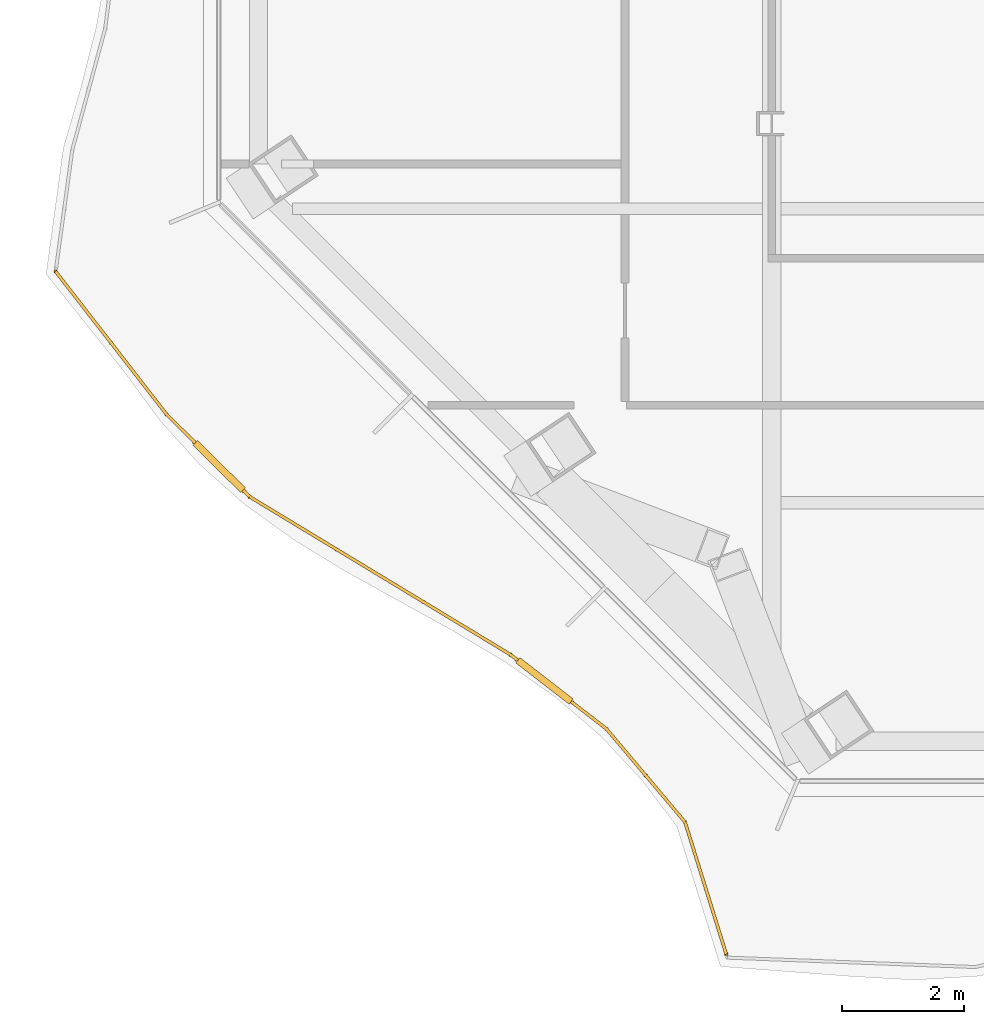
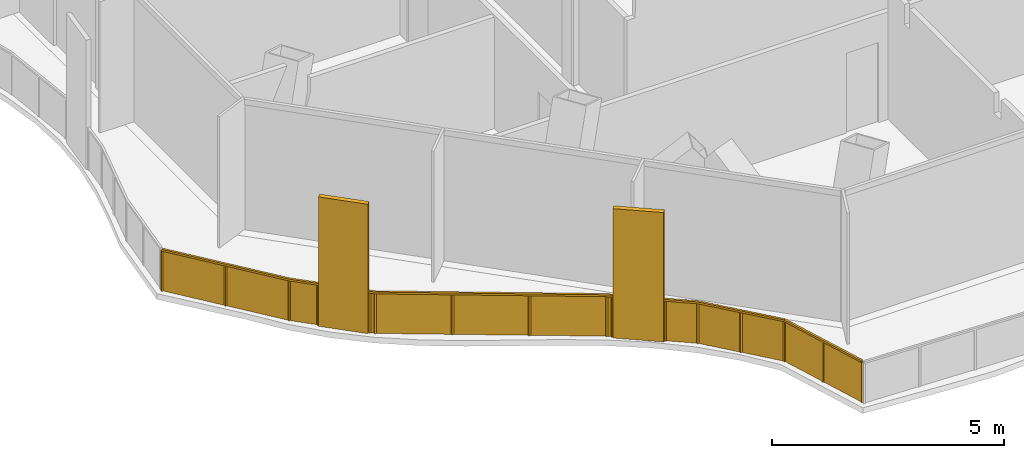
# One storey, part 14 of 22: 1 railing.
"""IFC4 building model written with IfcOpenShell, lengths in metres."""

from ifc_helpers import new_model, si_unit, direction, frame, origin, origin_2d, place, context, subcontext, project, spatial, polyline, rectangle, outline, extrude, material, type_object, element, save


model = new_model("IFC4")

# Units and contexts
model_context = context("Model", 3, precision=1e-05, world=origin(), true_north=direction((0.0, 1.0)))
body_context = subcontext(model_context, "Body", "Model", "MODEL_VIEW")
ifc_project = project(units=[si_unit("LENGTHUNIT", "METRE"), si_unit("AREAUNIT", "SQUARE_METRE"), si_unit("VOLUMEUNIT", "CUBIC_METRE"), si_unit("PLANEANGLEUNIT", "RADIAN"), si_unit("MASSUNIT", "GRAM", prefix="KILO")], contexts=[model_context])

# Site, building, storey
site_placement = place(None, origin())
site = spatial("IfcSite", under=ifc_project, at=site_placement, CompositionType="ELEMENT")
building_placement = place(site_placement, origin())
building = spatial("IfcBuilding", under=site, at=building_placement, Name="Cairn Pilgrim Tower", CompositionType="ELEMENT")
storey_placement = place(building_placement, frame((0.0, 0.0, 105.0)))
storey = spatial("IfcBuildingStorey", under=building, at=storey_placement, Name="L25", CompositionType="ELEMENT", Elevation=105.0)

# Railing
ifc_material = material(Name="Bronze anodised aluminium rail, posts and fin screens with laminated glass infill", Category="aluminium")
railing_type = type_object("IfcRailingType", Name="BALCONY GUARD WITH FIN SCREENS", PredefinedType="GUARDRAIL", material=ifc_material)
railing_placement = place(storey_placement, frame((-26.101806640625, -12.014404296875, 0.0)))
element("IfcRailing", 1, at=railing_placement, inside=storey, type_object=railing_type, Name="Balcony guard BGF-8 with fin screens", PredefinedType="GUARDRAIL", context=body_context, shape_type="SweptSolid", body=[
    extrude(rectangle(XDim=0.050048828125, YDim=0.050048828125, at=origin_2d()), frame((0.0, 0.0, 1.0751953125), z_axis=(0.613185541284, -0.789938916601, 0.0), x_axis=(0.789938916601, 0.613185541284, 0.0)), (0.0, 0.0, 1.0), 2.955810546875),
    extrude(rectangle(XDim=1.10009765625, YDim=0.110107421875, at=origin_2d()), frame((2.673095703125, -3.188232421875, 0.0), z_axis=(0.0, 0.0, 1.0), x_axis=(0.710101201166, -0.704099626547, 0.0)), (0.0, 0.0, 1.0), 3.39990234375),
    extrude(rectangle(XDim=0.050048828125, YDim=0.050048828125, at=origin_2d()), frame((1.8125, -2.3349609375, 1.0751953125), z_axis=(0.710101201166, -0.704099626547, 0.0), x_axis=(0.704099626547, 0.710101201166, 0.0)), (0.0, 0.0, 1.0), 0.661865234375),
    extrude(rectangle(XDim=0.050048828125, YDim=0.050048828125, at=origin_2d()), frame((3.0634765625, -3.575439453125, 1.0751953125), z_axis=(0.710101201166, -0.704099626547, 0.0), x_axis=(0.704099626547, 0.710101201166, 0.0)), (0.0, 0.0, 1.0), 0.150146484375),
    extrude(rectangle(XDim=0.050048828125, YDim=0.050048828125, at=origin_2d()), frame((3.170166015625, -3.68115234375, 1.0751953125), z_axis=(0.855450393434, -0.517884759743, 0.0), x_axis=(0.517884759743, 0.855450393434, 0.0)), (0.0, 0.0, 1.0), 4.98388671875),
    extrude(rectangle(XDim=1.10009765625, YDim=0.110107421875, at=origin_2d()), frame((7.987060546875, -6.690185546875, 0.0), z_axis=(0.0, 0.0, 1.0), x_axis=(0.791049005834, -0.611752785338, 0.0)), (0.0, 0.0, 1.0), 3.39990234375),
    extrude(rectangle(XDim=0.050048828125, YDim=0.050048828125, at=origin_2d()), frame((7.43359375, -6.26220703125, 1.0751953125), z_axis=(0.791049005834, -0.611752785338, 0.0), x_axis=(0.611752785338, 0.791049005834, 0.0)), (0.0, 0.0, 1.0), 0.149658203125),
    extrude(rectangle(XDim=0.050048828125, YDim=0.050048828125, at=origin_2d()), frame((8.422119140625, -7.02685546875, 1.0751953125), z_axis=(0.791049005834, -0.611752785338, 0.0), x_axis=(0.611752785338, 0.791049005834, 0.0)), (0.0, 0.0, 1.0), 0.730224609375),
    extrude(rectangle(XDim=0.050048828125, YDim=0.050048828125, at=origin_2d()), frame((8.999755859375, -7.473388671875, 1.0751953125), z_axis=(0.644512991359, -0.76459335857, 0.0), x_axis=(0.76459335857, 0.644512991359, 0.0)), (0.0, 0.0, 1.0), 1.992431640625),
    extrude(rectangle(XDim=0.050048828125, YDim=0.050048828125, at=origin_2d()), frame((10.283935546875, -8.996826171875, 1.0751953125), z_axis=(0.297758203011, -0.954641321408, 0.0), x_axis=(0.954641321408, 0.297758203011, 0.0)), (0.0, 0.0, 1.0), 2.259765625),
    extrude(rectangle(XDim=0.050048828125, YDim=0.050048828125, at=origin_2d()), origin(), (0.0, 0.0, 1.0), 1.050048828125),
    extrude(rectangle(XDim=0.050048828125, YDim=0.050048828125, at=origin_2d()), frame((0.90625, -1.16748046875, 0.0)), (0.0, 0.0, 1.0), 1.050048828125),
    extrude(rectangle(XDim=0.050048828125, YDim=0.050048828125, at=origin_2d()), frame((1.8125, -2.3349609375, 0.0)), (0.0, 0.0, 1.0), 1.050048828125),
    extrude(rectangle(XDim=0.050048828125, YDim=0.050048828125, at=origin_2d()), frame((2.2646484375, -2.783447265625, 0.0)), (0.0, 0.0, 1.0), 1.050048828125),
    extrude(rectangle(XDim=0.050048828125, YDim=0.050048828125, at=origin_2d()), frame((3.081298828125, -3.593017578125, 0.0)), (0.0, 0.0, 1.0), 1.050048828125),
    extrude(rectangle(XDim=0.050048828125, YDim=0.050048828125, at=origin_2d()), frame((3.170166015625, -3.68115234375, 0.0)), (0.0, 0.0, 1.0), 1.050048828125),
    extrude(rectangle(XDim=0.050048828125, YDim=0.050048828125, at=origin_2d()), frame((4.59130859375, -4.54150390625, 0.0)), (0.0, 0.0, 1.0), 1.050048828125),
    extrude(rectangle(XDim=0.050048828125, YDim=0.050048828125, at=origin_2d()), frame((6.012451171875, -5.40185546875, 0.0)), (0.0, 0.0, 1.0), 1.050048828125),
    extrude(rectangle(XDim=0.050048828125, YDim=0.050048828125, at=origin_2d()), frame((7.43359375, -6.26220703125, 0.0)), (0.0, 0.0, 1.0), 1.050048828125),
    extrude(rectangle(XDim=0.050048828125, YDim=0.050048828125, at=origin_2d()), frame((7.5322265625, -6.338623046875, 0.0)), (0.0, 0.0, 1.0), 1.050048828125),
    extrude(rectangle(XDim=0.050048828125, YDim=0.050048828125, at=origin_2d()), frame((8.44189453125, -7.0419921875, 0.0)), (0.0, 0.0, 1.0), 1.050048828125),
    extrude(rectangle(XDim=0.050048828125, YDim=0.050048828125, at=origin_2d()), frame((8.999755859375, -7.473388671875, 0.0)), (0.0, 0.0, 1.0), 1.050048828125),
    extrude(rectangle(XDim=0.050048828125, YDim=0.050048828125, at=origin_2d()), frame((9.641845703125, -8.235107421875, 0.0)), (0.0, 0.0, 1.0), 1.050048828125),
    extrude(rectangle(XDim=0.050048828125, YDim=0.050048828125, at=origin_2d()), frame((10.283935546875, -8.996826171875, 0.0)), (0.0, 0.0, 1.0), 1.050048828125),
    extrude(rectangle(XDim=0.050048828125, YDim=0.050048828125, at=origin_2d()), frame((10.620361328125, -10.075439453125, 0.0)), (0.0, 0.0, 1.0), 1.050048828125),
    extrude(rectangle(XDim=0.050048828125, YDim=0.050048828125, at=origin_2d()), frame((10.956787109375, -11.154052734375, 0.0)), (0.0, 0.0, 1.0), 1.050048828125),
    extrude(outline(polyline([(0.02490234375, 0.0), (1.452880859375, 0.0), (1.452880859375, 1.050048828125), (0.02490234375, 1.050048828125), (0.02490234375, 0.0)])), frame((0.004638671875, 0.003662109375, 0.0), z_axis=(-0.789938916601, -0.613185541284, 0.0), x_axis=(0.613185541284, -0.789938916601, 0.0)), (0.0, 0.0, 1.0), 0.011962890625),
    extrude(outline(polyline([(0.02490234375, 0.0), (1.452880859375, 0.0), (1.452880859375, 1.050048828125), (0.02490234375, 1.050048828125), (0.02490234375, 0.0)])), frame((0.910888671875, -1.163818359375, 0.0), z_axis=(-0.789938916601, -0.613185541284, 0.0), x_axis=(0.613185541284, -0.789938916601, 0.0)), (0.0, 0.0, 1.0), 0.011962890625),
    extrude(outline(polyline([(0.02490234375, 0.0), (0.61181640625, 0.0), (0.61181640625, 1.050048828125), (0.02490234375, 1.050048828125), (0.02490234375, 0.0)])), frame((1.816650390625, -2.330810546875, 0.0), z_axis=(-0.704099626547, -0.710101201166, 0.0), x_axis=(0.710101201166, -0.704099626547, 0.0)), (0.0, 0.0, 1.0), 0.011962890625),
    extrude(outline(polyline([(0.02490234375, 0.0), (0.10009765625, 0.0), (0.10009765625, 1.050048828125), (0.02490234375, 1.050048828125), (0.02490234375, 0.0)])), frame((3.08544921875, -3.5888671875, 0.0), z_axis=(-0.704099626547, -0.710101201166, 0.0), x_axis=(0.710101201166, -0.704099626547, 0.0)), (0.0, 0.0, 1.0), 0.011962890625),
    extrude(outline(polyline([(0.02490234375, 0.0), (1.63623046875, 0.0), (1.63623046875, 1.050048828125), (0.02490234375, 1.050048828125), (0.02490234375, 0.0)])), frame((3.17333984375, -3.676025390625, 0.0), z_axis=(-0.517884759743, -0.855450393434, 0.0), x_axis=(0.855450393434, -0.517884759743, 0.0)), (0.0, 0.0, 1.0), 0.011962890625),
    extrude(outline(polyline([(0.02490234375, 0.0), (1.63623046875, 0.0), (1.63623046875, 1.050048828125), (0.02490234375, 1.050048828125), (0.02490234375, 0.0)])), frame((4.594482421875, -4.536376953125, 0.0), z_axis=(-0.517884759743, -0.855450393434, 0.0), x_axis=(0.855450393434, -0.517884759743, 0.0)), (0.0, 0.0, 1.0), 0.011962890625),
    extrude(outline(polyline([(0.02490234375, 0.0), (1.63623046875, 0.0), (1.63623046875, 1.050048828125), (0.02490234375, 1.050048828125), (0.02490234375, 0.0)])), frame((6.015625, -5.396728515625, 0.0), z_axis=(-0.517884759743, -0.855450393434, 0.0), x_axis=(0.855450393434, -0.517884759743, 0.0)), (0.0, 0.0, 1.0), 0.011962890625),
    extrude(outline(polyline([(0.02490234375, 0.0), (0.099609375, 0.0), (0.099609375, 1.050048828125), (0.02490234375, 1.050048828125), (0.02490234375, 0.0)])), frame((7.437255859375, -6.257568359375, 0.0), z_axis=(-0.611752785338, -0.791049005834, 0.0), x_axis=(0.791049005834, -0.611752785338, 0.0)), (0.0, 0.0, 1.0), 0.011962890625),
    extrude(outline(polyline([(0.02490234375, 0.0), (0.68017578125, 0.0), (0.68017578125, 1.050048828125), (0.02490234375, 1.050048828125), (0.02490234375, 0.0)])), frame((8.445556640625, -7.037353515625, 0.0), z_axis=(-0.611752785338, -0.791049005834, 0.0), x_axis=(0.791049005834, -0.611752785338, 0.0)), (0.0, 0.0, 1.0), 0.011962890625),
    extrude(outline(polyline([(0.02490234375, 0.0), (0.97119140625, 0.0), (0.97119140625, 1.050048828125), (0.02490234375, 1.050048828125), (0.02490234375, 0.0)])), frame((9.00439453125, -7.469482421875, 0.0), z_axis=(-0.76459335857, -0.644512991359, 0.0), x_axis=(0.644512991359, -0.76459335857, 0.0)), (0.0, 0.0, 1.0), 0.011962890625),
    extrude(outline(polyline([(0.02490234375, 0.0), (0.97119140625, 0.0), (0.97119140625, 1.050048828125), (0.02490234375, 1.050048828125), (0.02490234375, 0.0)])), frame((9.646484375, -8.231201171875, 0.0), z_axis=(-0.76459335857, -0.644512991359, 0.0), x_axis=(0.644512991359, -0.76459335857, 0.0)), (0.0, 0.0, 1.0), 0.011962890625),
    extrude(outline(polyline([(0.02490234375, 0.0), (1.104736328125, 0.0), (1.104736328125, 1.050048828125), (0.02490234375, 1.050048828125), (0.02490234375, 0.0)])), frame((10.28955078125, -8.9951171875, 0.0), z_axis=(-0.954641321408, -0.297758203011, 0.0), x_axis=(0.297758203011, -0.954641321408, 0.0)), (0.0, 0.0, 1.0), 0.011962890625),
    extrude(outline(polyline([(0.02490234375, 0.0), (1.104736328125, 0.0), (1.104736328125, 1.050048828125), (0.02490234375, 1.050048828125), (0.02490234375, 0.0)])), frame((10.6259765625, -10.07373046875, 0.0), z_axis=(-0.954641321408, -0.297758203011, 0.0), x_axis=(0.297758203011, -0.954641321408, 0.0)), (0.0, 0.0, 1.0), 0.011962890625),
])

save(model, "model.ifc")
